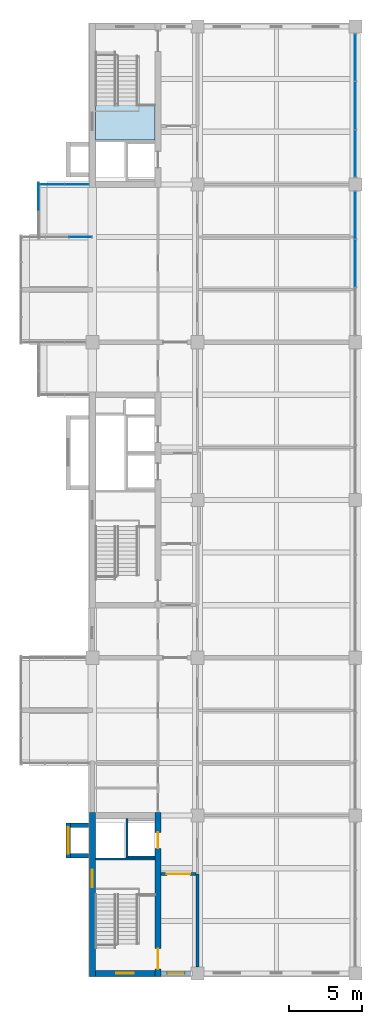
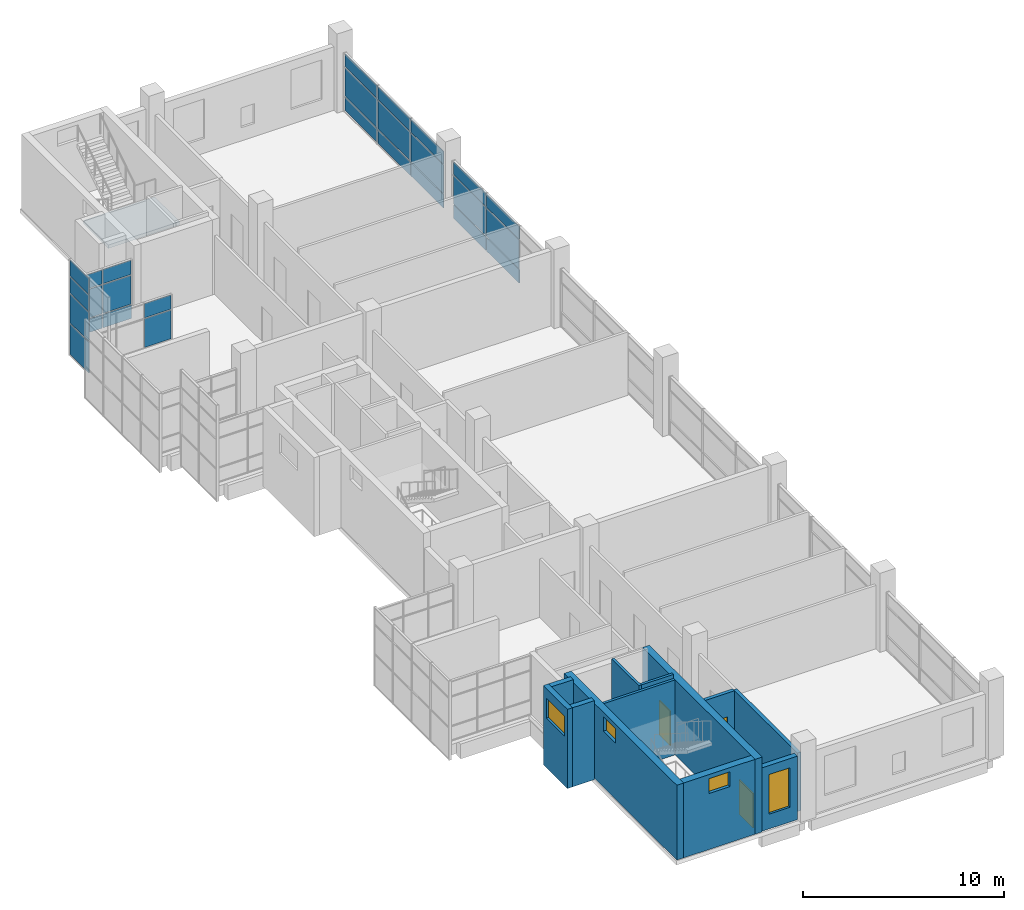
# One storey, part 11 of 15: 27 plates, 12 walls, 4 windows, 3 doors, 1 slab, 7 openings, 6 elements without a shape of their own.
"""IFC4 building model written with IfcOpenShell, lengths in metres."""

from ifc_helpers import new_model, si_unit, direction, frame, frame_2d, origin, origin_2d, place, context, subcontext, project, spatial, polyline, rectangle, outline, extrude, material, layer, layer_set, type_object, element, fill, aggregate, save


model = new_model("IFC4")

# Units and contexts
model_context = context("Model", 3, precision=1e-05, world=origin(), true_north=direction((0.0, 1.0)))
body_context = subcontext(model_context, "Body", "Model", "MODEL_VIEW")
ifc_project = project(units=[si_unit("LENGTHUNIT", "METRE"), si_unit("AREAUNIT", "SQUARE_METRE"), si_unit("VOLUMEUNIT", "CUBIC_METRE"), si_unit("PLANEANGLEUNIT", "RADIAN"), si_unit("MASSUNIT", "GRAM", prefix="KILO")], contexts=[model_context])

# Site, building, storey
site_placement = place(None, origin())
site = spatial("IfcSite", under=ifc_project, at=site_placement, CompositionType="ELEMENT")
building_placement = place(site_placement, origin())
building = spatial("IfcBuilding", under=site, at=building_placement, Name="Basin Gate Institute", CompositionType="ELEMENT")
storey_placement = place(building_placement, frame((0.0, 0.0, 55.800048828125)))
storey = spatial("IfcBuildingStorey", under=building, at=storey_placement, Name="L11", CompositionType="ELEMENT", Elevation=55.800048828125)

# Curtain wall, plates
ifc_material_1 = material(Name="Aluminium-framed glazing", Category="aluminium")
ifc_layer_1 = layer(ifc_material_1, 0.199951171875)
ifc_layer_set_1 = layer_set([ifc_layer_1], Name="Atrium curtain wall CW2")
curtain_wall_type_1 = type_object("IfcCurtainWallType", Name="Atrium curtain wall CW2", PredefinedType="NOTDEFINED", material=ifc_layer_set_1)
curtain_wall_1_placement = place(storey_placement, origin())
curtain_wall_1 = element("IfcCurtainWall", 1, at=curtain_wall_1_placement, inside=storey, type_object=curtain_wall_type_1, material=ifc_layer_set_1, Name="Atrium curtain wall W wing atrium bay 5 L11", PredefinedType="NOTDEFINED")
ifc_material_2 = material(Name="Aluminium insulated spandrel panel", Category="aluminium")
ifc_layer_2 = layer(ifc_material_2, 0.050048828125)
ifc_layer_set_2 = layer_set([ifc_layer_2], Name="Spandrel panel PN2")
plate_type_1 = type_object("IfcPlateType", Name="Spandrel panel PN2", PredefinedType="CURTAIN_PANEL", material=ifc_layer_set_2)
plate_1_placement = place(storey_placement, frame((79.199951171875, 83.699951171875, 0.059814453125), z_axis=(0.0, 0.0, 1.0), x_axis=(0.0, 1.0, 0.0)))
plate_1 = element("IfcPlate", 2, at=plate_1_placement, type_object=plate_type_1, material=ifc_layer_set_2, Name="CW2 spandrel panel 2.1", PredefinedType="CURTAIN_PANEL", context=body_context, shape_type="SweptSolid", body=[
    extrude(rectangle(XDim=3.239990234375, YDim=0.050048828125, at=origin_2d()), origin(), (0.0, 0.0, 1.0), 0.81005859375),
])
plate_2_placement = place(storey_placement, frame((79.199951171875, 83.699951171875, 2.72998046875), z_axis=(0.0, 0.0, 1.0), x_axis=(0.0, 1.0, 0.0)))
plate_2 = element("IfcPlate", 3, at=plate_2_placement, type_object=plate_type_1, material=ifc_layer_set_2, Name="CW2 spandrel panel 2.3", PredefinedType="CURTAIN_PANEL", context=body_context, shape_type="SweptSolid", body=[
    extrude(rectangle(XDim=3.239990234375, YDim=0.050048828125, at=origin_2d()), origin(), (0.0, 0.0, 1.0), 0.760009765625),
])
plate_3_placement = place(storey_placement, frame((79.199951171875, 86.985107421875, 0.059814453125), z_axis=(0.0, 0.0, 1.0), x_axis=(0.0, 1.0, 0.0)))
plate_3 = element("IfcPlate", 4, at=plate_3_placement, type_object=plate_type_1, material=ifc_layer_set_2, Name="CW2 spandrel panel 3.1", PredefinedType="CURTAIN_PANEL", context=body_context, shape_type="SweptSolid", body=[
    extrude(rectangle(XDim=3.2099609375, YDim=0.050048828125, at=origin_2d()), origin(), (0.0, 0.0, 1.0), 0.81005859375),
])
plate_4_placement = place(storey_placement, frame((79.199951171875, 86.985107421875, 2.72998046875), z_axis=(0.0, 0.0, 1.0), x_axis=(0.0, 1.0, 0.0)))
plate_4 = element("IfcPlate", 5, at=plate_4_placement, type_object=plate_type_1, material=ifc_layer_set_2, Name="CW2 spandrel panel 3.3", PredefinedType="CURTAIN_PANEL", context=body_context, shape_type="SweptSolid", body=[
    extrude(rectangle(XDim=3.2099609375, YDim=0.050048828125, at=origin_2d()), origin(), (0.0, 0.0, 1.0), 0.760009765625),
])

curtain_wall_2_placement = place(storey_placement, origin())
curtain_wall_2 = element("IfcCurtainWall", 6, at=curtain_wall_2_placement, inside=storey, type_object=curtain_wall_type_1, material=ifc_layer_set_1, Name="Atrium curtain wall W wing atrium bay 6 L11", PredefinedType="NOTDEFINED")
plate_5_placement = place(storey_placement, frame((79.199951171875, 91.215087890625, 0.059814453125), z_axis=(0.0, 0.0, 1.0), x_axis=(0.0, 1.0, 0.0)))
plate_5 = element("IfcPlate", 7, at=plate_5_placement, type_object=plate_type_1, material=ifc_layer_set_2, Name="CW2 spandrel panel 1.1", PredefinedType="CURTAIN_PANEL", context=body_context, shape_type="SweptSolid", body=[
    extrude(rectangle(XDim=3.2099609375, YDim=0.050048828125, at=origin_2d()), origin(), (0.0, 0.0, 1.0), 0.81005859375),
])
plate_6_placement = place(storey_placement, frame((79.199951171875, 91.215087890625, 2.72998046875), z_axis=(0.0, 0.0, 1.0), x_axis=(0.0, 1.0, 0.0)))
plate_6 = element("IfcPlate", 8, at=plate_6_placement, type_object=plate_type_1, material=ifc_layer_set_2, Name="CW2 spandrel panel 1.3", PredefinedType="CURTAIN_PANEL", context=body_context, shape_type="SweptSolid", body=[
    extrude(rectangle(XDim=3.2099609375, YDim=0.050048828125, at=origin_2d()), origin(), (0.0, 0.0, 1.0), 0.760009765625),
])
plate_7_placement = place(storey_placement, frame((79.199951171875, 94.5, 0.059814453125), z_axis=(0.0, 0.0, 1.0), x_axis=(0.0, 1.0, 0.0)))
plate_7 = element("IfcPlate", 9, at=plate_7_placement, type_object=plate_type_1, material=ifc_layer_set_2, Name="CW2 spandrel panel 2.1", PredefinedType="CURTAIN_PANEL", context=body_context, shape_type="SweptSolid", body=[
    extrude(rectangle(XDim=3.239990234375, YDim=0.050048828125, at=origin_2d()), origin(), (0.0, 0.0, 1.0), 0.81005859375),
])
plate_8_placement = place(storey_placement, frame((79.199951171875, 94.5, 2.72998046875), z_axis=(0.0, 0.0, 1.0), x_axis=(0.0, 1.0, 0.0)))
plate_8 = element("IfcPlate", 10, at=plate_8_placement, type_object=plate_type_1, material=ifc_layer_set_2, Name="CW2 spandrel panel 2.3", PredefinedType="CURTAIN_PANEL", context=body_context, shape_type="SweptSolid", body=[
    extrude(rectangle(XDim=3.239990234375, YDim=0.050048828125, at=origin_2d()), origin(), (0.0, 0.0, 1.0), 0.760009765625),
])
plate_9_placement = place(storey_placement, frame((79.199951171875, 97.784912109375, 0.059814453125), z_axis=(0.0, 0.0, 1.0), x_axis=(0.0, 1.0, 0.0)))
plate_9 = element("IfcPlate", 11, at=plate_9_placement, type_object=plate_type_1, material=ifc_layer_set_2, Name="CW2 spandrel panel 3.1", PredefinedType="CURTAIN_PANEL", context=body_context, shape_type="SweptSolid", body=[
    extrude(rectangle(XDim=3.2099609375, YDim=0.050048828125, at=origin_2d()), origin(), (0.0, 0.0, 1.0), 0.81005859375),
])
plate_10_placement = place(storey_placement, frame((79.199951171875, 97.784912109375, 2.72998046875), z_axis=(0.0, 0.0, 1.0), x_axis=(0.0, 1.0, 0.0)))
plate_10 = element("IfcPlate", 12, at=plate_10_placement, type_object=plate_type_1, material=ifc_layer_set_2, Name="CW2 spandrel panel 3.3", PredefinedType="CURTAIN_PANEL", context=body_context, shape_type="SweptSolid", body=[
    extrude(rectangle(XDim=3.2099609375, YDim=0.050048828125, at=origin_2d()), origin(), (0.0, 0.0, 1.0), 0.760009765625),
])

ifc_material_3 = material(Name="Aluminium-framed glazing", Category="aluminium")
ifc_layer_3 = layer(ifc_material_3, 0.14990234375)
ifc_layer_set_3 = layer_set([ifc_layer_3], Name="Capsule front curtain wall CW1")
curtain_wall_type_2 = type_object("IfcCurtainWallType", Name="Capsule front curtain wall CW1", PredefinedType="NOTDEFINED", material=ifc_layer_set_3)
curtain_wall_3_placement = place(storey_placement, origin())
curtain_wall_3 = element("IfcCurtainWall", 13, at=curtain_wall_3_placement, inside=storey, type_object=curtain_wall_type_2, material=ifc_layer_set_3, Name="Capsule front curtain wall W wing capsule end L11 line 16", PredefinedType="NOTDEFINED")
plate_11_placement = place(storey_placement, frame((58.46240234375, 89.10009765625, 0.059814453125), z_axis=(0.0, 0.0, 1.0), x_axis=(1.0, 0.0, 0.0)))
plate_11 = element("IfcPlate", 14, at=plate_11_placement, type_object=plate_type_1, material=ifc_layer_set_2, Name="CW1 spandrel panel 1.1", PredefinedType="CURTAIN_PANEL", context=body_context, shape_type="SweptSolid", body=[
    extrude(rectangle(XDim=1.625, YDim=0.050048828125, at=origin_2d()), origin(), (0.0, 0.0, 1.0), 0.81005859375),
])
plate_12_placement = place(storey_placement, frame((60.137451171875, 89.10009765625, 0.059814453125), z_axis=(0.0, 0.0, 1.0), x_axis=(1.0, 0.0, 0.0)))
plate_12 = element("IfcPlate", 15, at=plate_12_placement, type_object=plate_type_1, material=ifc_layer_set_2, Name="CW1 spandrel panel 2.1", PredefinedType="CURTAIN_PANEL", context=body_context, shape_type="SweptSolid", body=[
    extrude(rectangle(XDim=1.625, YDim=0.050048828125, at=origin_2d()), origin(), (0.0, 0.0, 1.0), 0.81005859375),
])

curtain_wall_4_placement = place(storey_placement, origin())
curtain_wall_4 = element("IfcCurtainWall", 16, at=curtain_wall_4_placement, inside=storey, type_object=curtain_wall_type_2, material=ifc_layer_set_3, Name="Capsule front curtain wall W wing capsule 2 L11 front 4", PredefinedType="NOTDEFINED")
plate_13_placement = place(storey_placement, frame((57.52490234375, 88.262451171875, -0.990234375), z_axis=(0.0, 0.0, 1.0), x_axis=(0.0, 1.0, 0.0)))
plate_13 = element("IfcPlate", 17, at=plate_13_placement, type_object=plate_type_1, material=ifc_layer_set_2, Name="CW1 spandrel panel 2.1", PredefinedType="CURTAIN_PANEL", context=body_context, shape_type="SweptSolid", body=[
    extrude(rectangle(XDim=1.875, YDim=0.050048828125, at=origin_2d()), origin(), (0.0, 0.0, 1.0), 1.860107421875),
])
plate_14_placement = place(storey_placement, frame((57.52490234375, 88.262451171875, 3.780029296875), z_axis=(0.0, 0.0, 1.0), x_axis=(0.0, 1.0, 0.0)))
plate_14 = element("IfcPlate", 18, at=plate_14_placement, type_object=plate_type_1, material=ifc_layer_set_2, Name="CW1 spandrel panel 2.4", PredefinedType="CURTAIN_PANEL", context=body_context, shape_type="SweptSolid", body=[
    extrude(rectangle(XDim=1.875, YDim=0.050048828125, at=origin_2d()), origin(), (0.0, 0.0, 1.0), 0.9599609375),
])

# Stair, slab
ifc_material_4 = material(Name="Concrete 40 MPa", Category="concrete")
stair_type = type_object("IfcStairType", Name="Stair ST", PredefinedType="HALF_TURN_STAIR", material=ifc_material_4)
stair_placement = place(storey_placement, origin())
stair = element("IfcStair", 19, at=stair_placement, inside=storey, type_object=stair_type, material=ifc_material_4, Name="Special safe stair ST-WN L11", PredefinedType="HALF_TURN_STAIR")
ifc_material_5 = material(Name="Concrete 40 MPa", Category="concrete")
ifc_layer_4 = layer(ifc_material_5, 0.199951171875)
ifc_layer_set_4 = layer_set([ifc_layer_4], Name="Concrete 40 MPa")
slab_type = type_object("IfcSlabType", Name="Stair landing LN REI 120", PredefinedType="LANDING", material=ifc_layer_set_4)
slab_placement = place(storey_placement, frame((0.0, 0.0, 2.288818359375)))
slab = element("IfcSlab", 20, at=slab_placement, type_object=slab_type, material=ifc_layer_set_4, Name="Stair landing ST-WN-L1 L11", PredefinedType="LANDING", context=body_context, shape_type="SweptSolid", body=[
    extrude(outline(polyline([(61.39990234375, 92.14990234375), (65.5, 92.14990234375), (65.5, 94.6298828125), (61.39990234375, 94.6298828125), (61.39990234375, 92.14990234375)])), origin(), (0.0, 0.0, 1.0), 0.199951171875),
])
aggregate(stair, [slab])

# Plate
ifc_material_6 = material(Name="Double glazed unit")
ifc_layer_5 = layer(ifc_material_6, 0.028076171875)
ifc_layer_set_5 = layer_set([ifc_layer_5], Name="Vision panel PN1")
plate_type_2 = type_object("IfcPlateType", Name="Vision panel PN1", PredefinedType="CURTAIN_PANEL", material=ifc_layer_set_5)
plate_15_placement = place(storey_placement, frame((79.199951171875, 83.699951171875, 0.93017578125), z_axis=(0.0, 0.0, 1.0), x_axis=(0.0, 1.0, 0.0)))
plate_15 = element("IfcPlate", 21, at=plate_15_placement, type_object=plate_type_2, material=ifc_layer_set_5, Name="CW2 vision panel 2.2", PredefinedType="CURTAIN_PANEL", context=body_context, shape_type="SweptSolid", body=[
    extrude(rectangle(XDim=3.239990234375, YDim=0.028076171875, at=origin_2d()), origin(), (0.0, 0.0, 1.0), 1.739990234375),
])

plate_16_placement = place(storey_placement, frame((79.199951171875, 86.985107421875, 0.93017578125), z_axis=(0.0, 0.0, 1.0), x_axis=(0.0, 1.0, 0.0)))
plate_16 = element("IfcPlate", 22, at=plate_16_placement, type_object=plate_type_2, material=ifc_layer_set_5, Name="CW2 vision panel 3.2", PredefinedType="CURTAIN_PANEL", context=body_context, shape_type="SweptSolid", body=[
    extrude(rectangle(XDim=3.2099609375, YDim=0.028076171875, at=origin_2d()), origin(), (0.0, 0.0, 1.0), 1.739990234375),
])

aggregate(curtain_wall_1, [plate_1, plate_15, plate_2, plate_3, plate_16, plate_4])

plate_17_placement = place(storey_placement, frame((79.199951171875, 91.215087890625, 0.93017578125), z_axis=(0.0, 0.0, 1.0), x_axis=(0.0, 1.0, 0.0)))
plate_17 = element("IfcPlate", 23, at=plate_17_placement, type_object=plate_type_2, material=ifc_layer_set_5, Name="CW2 vision panel 1.2", PredefinedType="CURTAIN_PANEL", context=body_context, shape_type="SweptSolid", body=[
    extrude(rectangle(XDim=3.2099609375, YDim=0.028076171875, at=origin_2d()), origin(), (0.0, 0.0, 1.0), 1.739990234375),
])

plate_18_placement = place(storey_placement, frame((79.199951171875, 94.5, 0.93017578125), z_axis=(0.0, 0.0, 1.0), x_axis=(0.0, 1.0, 0.0)))
plate_18 = element("IfcPlate", 24, at=plate_18_placement, type_object=plate_type_2, material=ifc_layer_set_5, Name="CW2 vision panel 2.2", PredefinedType="CURTAIN_PANEL", context=body_context, shape_type="SweptSolid", body=[
    extrude(rectangle(XDim=3.239990234375, YDim=0.028076171875, at=origin_2d()), origin(), (0.0, 0.0, 1.0), 1.739990234375),
])

plate_19_placement = place(storey_placement, frame((79.199951171875, 97.784912109375, 0.93017578125), z_axis=(0.0, 0.0, 1.0), x_axis=(0.0, 1.0, 0.0)))
plate_19 = element("IfcPlate", 25, at=plate_19_placement, type_object=plate_type_2, material=ifc_layer_set_5, Name="CW2 vision panel 3.2", PredefinedType="CURTAIN_PANEL", context=body_context, shape_type="SweptSolid", body=[
    extrude(rectangle(XDim=3.2099609375, YDim=0.028076171875, at=origin_2d()), origin(), (0.0, 0.0, 1.0), 1.739990234375),
])

aggregate(curtain_wall_2, [plate_5, plate_17, plate_6, plate_7, plate_18, plate_8, plate_9, plate_19, plate_10])

# Curtain wall, plates
curtain_wall_5_placement = place(storey_placement, origin())
curtain_wall_5 = element("IfcCurtainWall", 26, at=curtain_wall_5_placement, inside=storey, type_object=curtain_wall_type_2, material=ifc_layer_set_3, Name="Capsule front curtain wall W wing capsule end L11 line 15", PredefinedType="NOTDEFINED")
plate_20_placement = place(storey_placement, frame((60.387451171875, 85.5, 0.93017578125), z_axis=(0.0, 0.0, 1.0), x_axis=(1.0, 0.0, 0.0)))
plate_20 = element("IfcPlate", 27, at=plate_20_placement, type_object=plate_type_2, material=ifc_layer_set_5, Name="CW1 vision panel 3.2", PredefinedType="CURTAIN_PANEL", context=body_context, shape_type="SweptSolid", body=[
    extrude(rectangle(XDim=1.52490234375, YDim=0.028076171875, at=origin_2d()), origin(), (0.0, 0.0, 1.0), 1.739990234375),
])
plate_21_placement = place(storey_placement, frame((60.387451171875, 85.5, 2.72998046875), z_axis=(0.0, 0.0, 1.0), x_axis=(1.0, 0.0, 0.0)))
plate_21 = element("IfcPlate", 28, at=plate_21_placement, type_object=plate_type_2, material=ifc_layer_set_5, Name="CW1 vision panel 3.3", PredefinedType="CURTAIN_PANEL", context=body_context, shape_type="SweptSolid", body=[
    extrude(rectangle(XDim=1.52490234375, YDim=0.028076171875, at=origin_2d()), origin(), (0.0, 0.0, 1.0), 0.860107421875),
])
aggregate(curtain_wall_5, [plate_20, plate_21])

# Plate
plate_22_placement = place(storey_placement, frame((58.46240234375, 89.10009765625, 0.93017578125), z_axis=(0.0, 0.0, 1.0), x_axis=(1.0, 0.0, 0.0)))
plate_22 = element("IfcPlate", 29, at=plate_22_placement, type_object=plate_type_2, material=ifc_layer_set_5, Name="CW1 vision panel 1.2", PredefinedType="CURTAIN_PANEL", context=body_context, shape_type="SweptSolid", body=[
    extrude(rectangle(XDim=1.625, YDim=0.028076171875, at=origin_2d()), origin(), (0.0, 0.0, 1.0), 1.739990234375),
])

plate_23_placement = place(storey_placement, frame((58.46240234375, 89.10009765625, 2.72998046875), z_axis=(0.0, 0.0, 1.0), x_axis=(1.0, 0.0, 0.0)))
plate_23 = element("IfcPlate", 30, at=plate_23_placement, type_object=plate_type_2, material=ifc_layer_set_5, Name="CW1 vision panel 1.3", PredefinedType="CURTAIN_PANEL", context=body_context, shape_type="SweptSolid", body=[
    extrude(rectangle(XDim=1.625, YDim=0.028076171875, at=origin_2d()), origin(), (0.0, 0.0, 1.0), 0.860107421875),
])

plate_24_placement = place(storey_placement, frame((60.137451171875, 89.10009765625, 0.93017578125), z_axis=(0.0, 0.0, 1.0), x_axis=(1.0, 0.0, 0.0)))
plate_24 = element("IfcPlate", 31, at=plate_24_placement, type_object=plate_type_2, material=ifc_layer_set_5, Name="CW1 vision panel 2.2", PredefinedType="CURTAIN_PANEL", context=body_context, shape_type="SweptSolid", body=[
    extrude(rectangle(XDim=1.625, YDim=0.028076171875, at=origin_2d()), origin(), (0.0, 0.0, 1.0), 1.739990234375),
])

plate_25_placement = place(storey_placement, frame((60.137451171875, 89.10009765625, 2.72998046875), z_axis=(0.0, 0.0, 1.0), x_axis=(1.0, 0.0, 0.0)))
plate_25 = element("IfcPlate", 32, at=plate_25_placement, type_object=plate_type_2, material=ifc_layer_set_5, Name="CW1 vision panel 2.3", PredefinedType="CURTAIN_PANEL", context=body_context, shape_type="SweptSolid", body=[
    extrude(rectangle(XDim=1.625, YDim=0.028076171875, at=origin_2d()), origin(), (0.0, 0.0, 1.0), 0.860107421875),
])

aggregate(curtain_wall_3, [plate_11, plate_22, plate_23, plate_12, plate_24, plate_25])

plate_26_placement = place(storey_placement, frame((57.52490234375, 88.262451171875, 0.93017578125), z_axis=(0.0, 0.0, 1.0), x_axis=(0.0, 1.0, 0.0)))
plate_26 = element("IfcPlate", 33, at=plate_26_placement, type_object=plate_type_2, material=ifc_layer_set_5, Name="CW1 vision panel 2.2", PredefinedType="CURTAIN_PANEL", context=body_context, shape_type="SweptSolid", body=[
    extrude(rectangle(XDim=1.875, YDim=0.028076171875, at=origin_2d()), origin(), (0.0, 0.0, 1.0), 1.739990234375),
])

plate_27_placement = place(storey_placement, frame((57.52490234375, 88.262451171875, 2.72998046875), z_axis=(0.0, 0.0, 1.0), x_axis=(0.0, 1.0, 0.0)))
plate_27 = element("IfcPlate", 34, at=plate_27_placement, type_object=plate_type_2, material=ifc_layer_set_5, Name="CW1 vision panel 2.3", PredefinedType="CURTAIN_PANEL", context=body_context, shape_type="SweptSolid", body=[
    extrude(rectangle(XDim=1.875, YDim=0.028076171875, at=origin_2d()), origin(), (0.0, 0.0, 1.0), 0.989990234375),
])

aggregate(curtain_wall_4, [plate_13, plate_26, plate_27, plate_14])

# Wall, opening, door
ifc_material_7 = material(Name="Fire-rated masonry", Category="masonry")
ifc_layer_6 = layer(ifc_material_7, 0.199951171875)
ifc_layer_set_6 = layer_set([ifc_layer_6], Name="Enclosure wall PW2 200 EI 60")
wall_type_1 = type_object("IfcWallType", Name="Enclosure wall PW2 200 EI 60", PredefinedType="PARTITIONING", material=ifc_layer_set_6)
wall_1_placement = place(storey_placement, frame((65.89990234375, 41.89990234375, 0.0), z_axis=(0.0, 0.0, 1.0), x_axis=(1.0, 0.0, 0.0)))
wall_1 = element("IfcWall", 35, at=wall_1_placement, inside=storey, type_object=wall_type_1, material=ifc_layer_set_6, Name="Smoke lobby enclosure wall PW2 L11", PredefinedType="PARTITIONING", context=body_context, shape_type="SweptSolid", body=[
    extrude(rectangle(XDim=2.400146484375, YDim=0.199951171875, at=frame_2d((1.2001953125, 0.0))), origin(), (0.0, 0.0, 1.0), 3.550048828125),
])
opening_1_placement = place(wall_1_placement, frame((0.39990234375, 0.0, 0.0)))
opening_1 = element("IfcOpeningElement", 36, at=opening_1_placement, cuts=wall_1, Name="Opening DR478", PredefinedType="OPENING", context=body_context, shape_type="SweptSolid", body=[
    extrude(rectangle(XDim=1.60009765625, YDim=2.10009765625, at=frame_2d((0.800048828125, 1.050048828125))), frame((0.0, 0.10986328125, 0.0), z_axis=(0.0, -1.0, 0.0), x_axis=(1.0, 0.0, 0.0)), (0.0, 0.0, 1.0), 0.219970703125),
])
ifc_material_8 = material(Name="Steel fire door", Category="steel")
door_type_1 = type_object("IfcDoorType", Name="FD60 Smoke lobby door pair D8", OperationType="DOUBLE_DOOR_SINGLE_SWING", PredefinedType="DOOR", material=ifc_material_8)
door_1_placement = place(opening_1_placement, frame((1.60009765625, 0.0, 0.0), z_axis=(0.0, 0.0, 1.0), x_axis=(-1.0, 0.0, 0.0)))
door_1 = element("IfcDoor", 37, at=door_1_placement, inside=storey, type_object=door_type_1, material=ifc_material_8, Name="Smoke lobby door SS1 L11", OperationType="DOUBLE_DOOR_SINGLE_SWING", OverallHeight=2.10009765625, OverallWidth=1.60009765625, PredefinedType="DOOR", context=body_context, shape_type="SweptSolid", body=[
    extrude(rectangle(XDim=1.60009765625, YDim=2.10009765625, at=frame_2d((0.800048828125, 1.050048828125))), frame((0.0, 0.02490234375, 0.0), z_axis=(0.0, -1.0, 0.0), x_axis=(1.0, 0.0, 0.0)), (0.0, 0.0, 1.0), 0.050048828125),
])
fill(opening_1, door_1)

# Wall
wall_2_placement = place(storey_placement, frame((68.39990234375, 35.550048828125, 0.0), z_axis=(0.0, 0.0, 1.0), x_axis=(0.0, 1.0, 0.0)))
element("IfcWall", 38, at=wall_2_placement, inside=storey, type_object=wall_type_1, material=ifc_layer_set_6, Name="Smoke lobby enclosure wall PW2 L11", PredefinedType="PARTITIONING", context=body_context, shape_type="SweptSolid", body=[
    extrude(rectangle(XDim=6.349853515625, YDim=0.199951171875, at=frame_2d((3.1748046875, 0.0))), origin(), (0.0, 0.0, 1.0), 3.550048828125),
])

# Wall, opening, window
ifc_material_9 = material(Name="Aluminium-faced insulated panel wall", Category="aluminium")
ifc_layer_7 = layer(ifc_material_9, 0.300048828125)
ifc_layer_set_7 = layer_set([ifc_layer_7], Name="External wall EW1 EI 120")
wall_type_2 = type_object("IfcWallType", Name="External wall EW1 EI 120", PredefinedType="STANDARD", material=ifc_layer_set_7)
wall_3_placement = place(storey_placement, frame((65.89990234375, 35.10009765625, 0.0), z_axis=(0.0, 0.0, 1.0), x_axis=(1.0, 0.0, 0.0)))
wall_3 = element("IfcWall", 39, at=wall_3_placement, inside=storey, type_object=wall_type_2, material=ifc_layer_set_7, Name="External end wall W wing south L11 1", PredefinedType="STANDARD", context=body_context, shape_type="SweptSolid", body=[
    extrude(rectangle(XDim=2.050048828125, YDim=0.300048828125, at=frame_2d((1.02490234375, 0.0))), origin(), (0.0, 0.0, 1.0), 3.849853515625),
])
opening_2_placement = place(wall_3_placement, frame((0.425048828125, 0.0, 0.89990234375)))
opening_2 = element("IfcOpeningElement", 40, at=opening_2_placement, cuts=wall_3, Name="Opening WN4", PredefinedType="OPENING", context=body_context, shape_type="SweptSolid", body=[
    extrude(rectangle(XDim=1.199951171875, YDim=2.39990234375, at=frame_2d((0.60009765625, 1.199951171875))), frame((0.0, 0.16015625, 0.0), z_axis=(0.0, -1.0, 0.0), x_axis=(1.0, 0.0, 0.0)), (0.0, 0.0, 1.0), 0.320068359375),
])
ifc_material_10 = material(Name="Aluminium-framed double glazing", Category="aluminium")
window_type_1 = type_object("IfcWindowType", Name="Corridor end window WN4", PartitioningType="SINGLE_PANEL", PredefinedType="WINDOW", material=ifc_material_10)
window_1_placement = place(opening_2_placement, origin())
window_1 = element("IfcWindow", 41, at=window_1_placement, inside=storey, type_object=window_type_1, material=ifc_material_10, Name="Corridor end window W wing S L11", OverallHeight=2.39990234375, OverallWidth=1.199951171875, PartitioningType="SINGLE_PANEL", PredefinedType="WINDOW", context=body_context, shape_type="SweptSolid", body=[
    extrude(rectangle(XDim=1.199951171875, YDim=2.39990234375, at=frame_2d((0.60009765625, 1.199951171875))), frame((0.0, 0.030029296875, 0.0), z_axis=(0.0, -1.0, 0.0), x_axis=(1.0, 0.0, 0.0)), (0.0, 0.0, 1.0), 0.06005859375),
])
fill(opening_2, window_1)

# Walls
ifc_material_11 = material(Name="Concrete 40 MPa", Category="concrete")
ifc_layer_8 = layer(ifc_material_11, 0.14990234375)
ifc_layer_set_8 = layer_set([ifc_layer_8], Name="Concrete 40 MPa")
wall_type_3 = type_object("IfcWallType", Name="Wall LS1 lift shaft enclosure R120", PredefinedType="SOLIDWALL", material=ifc_layer_set_8)
wall_4_placement = place(storey_placement, frame((63.574951171875, 43.0, 0.0), z_axis=(0.0, 0.0, 1.0), x_axis=(0.0, 1.0, 0.0)))
element("IfcWall", 42, at=wall_4_placement, inside=storey, type_object=wall_type_3, material=ifc_layer_set_8, Name="Lift shaft enclosure LP1 L11 UL", PredefinedType="SOLIDWALL", context=body_context, shape_type="SweptSolid", body=[
    extrude(rectangle(XDim=2.699951171875, YDim=0.14990234375, at=frame_2d((1.35009765625, 0.0))), origin(), (0.0, 0.0, 1.0), 4.800048828125),
])
wall_5_placement = place(storey_placement, frame((63.64990234375, 43.074951171875, 0.0), z_axis=(0.0, 0.0, 1.0), x_axis=(1.0, 0.0, 0.0)))
element("IfcWall", 43, at=wall_5_placement, inside=storey, type_object=wall_type_3, material=ifc_layer_set_8, Name="Lift shaft enclosure LP1 L11 RL", PredefinedType="SOLIDWALL", context=body_context, shape_type="SweptSolid", body=[
    extrude(rectangle(XDim=1.85009765625, YDim=0.14990234375, at=frame_2d((0.925048828125, 0.0))), origin(), (0.0, 0.0, 1.0), 4.800048828125),
])
ifc_material_12 = material(Name="Concrete 40 MPa", Category="concrete")
ifc_layer_9 = layer(ifc_material_12, 0.14990234375)
ifc_layer_set_9 = layer_set([ifc_layer_9], Name="Concrete 40 MPa")
wall_type_4 = type_object("IfcWallType", Name="Wall SE1 stair enclosure R120", PredefinedType="SOLIDWALL", material=ifc_layer_set_9)
wall_6_placement = place(storey_placement, frame((61.39990234375, 42.925048828125, 0.0), z_axis=(0.0, 0.0, 1.0), x_axis=(1.0, 0.0, 0.0)))
element("IfcWall", 44, at=wall_6_placement, inside=storey, type_object=wall_type_4, material=ifc_layer_set_9, Name="Stair enclosure wall ST-WS L11", PredefinedType="SOLIDWALL", context=body_context, shape_type="SweptSolid", body=[
    extrude(rectangle(XDim=4.10009765625, YDim=0.14990234375, at=frame_2d((2.050048828125, 0.0))), origin(), (0.0, 0.0, 1.0), 4.550048828125),
])

# Wall, opening, window
ifc_material_13 = material(Name="Concrete 50 MPa", Category="concrete")
ifc_layer_10 = layer(ifc_material_13, 0.300048828125)
ifc_layer_set_10 = layer_set([ifc_layer_10], Name="Concrete 50 MPa")
wall_type_5 = type_object("IfcWallType", Name="Wall SK1 R120", PredefinedType="SHEAR", material=ifc_layer_set_10)
wall_7_placement = place(storey_placement, frame((59.550048828125, 43.0, 0.0), z_axis=(0.0, 0.0, 1.0), x_axis=(0.0, 1.0, 0.0)))
wall_7 = element("IfcWall", 45, at=wall_7_placement, inside=storey, type_object=wall_type_5, material=ifc_layer_set_10, Name="Spine riser stack wall SK1 WS F L11", PredefinedType="SHEAR", context=body_context, shape_type="SweptSolid", body=[
    extrude(rectangle(XDim=2.39990234375, YDim=0.300048828125, at=frame_2d((1.199951171875, 0.0))), origin(), (0.0, 0.0, 1.0), 4.800048828125),
])
opening_3_placement = place(wall_7_placement, frame((0.300048828125, 0.0, 3.0)))
opening_3 = element("IfcOpeningElement", 46, at=opening_3_placement, cuts=wall_7, Name="Opening WL2", PredefinedType="OPENING", context=body_context, shape_type="SweptSolid", body=[
    extrude(rectangle(XDim=1.800048828125, YDim=1.199951171875, at=frame_2d((0.89990234375, 0.60009765625))), frame((0.0, 0.16015625, 0.0), z_axis=(0.0, -1.0, 0.0), x_axis=(1.0, 0.0, 0.0)), (0.0, 0.0, 1.0), 0.320068359375),
])
ifc_material_14 = material(Name="Aluminium louvre blades with fire damper", Category="aluminium")
window_type_2 = type_object("IfcWindowType", Name="Riser louvre EI 120 WL2", PartitioningType="SINGLE_PANEL", PredefinedType="WINDOW", material=ifc_material_14)
window_2_placement = place(opening_3_placement, origin())
window_2 = element("IfcWindow", 47, at=window_2_placement, inside=storey, type_object=window_type_2, material=ifc_material_14, Name="Riser louvre EI 120 WS riser 1 L11", OverallHeight=1.199951171875, OverallWidth=1.800048828125, PartitioningType="SINGLE_PANEL", PredefinedType="WINDOW", context=body_context, shape_type="SweptSolid", body=[
    extrude(rectangle(XDim=1.800048828125, YDim=1.199951171875, at=frame_2d((0.89990234375, 0.60009765625))), frame((0.0, 0.030029296875, 0.0), z_axis=(0.0, -1.0, 0.0), x_axis=(1.0, 0.0, 0.0)), (0.0, 0.0, 1.0), 0.06005859375),
])
fill(opening_3, window_2)

# Walls
for number, where, z_axis, x_axis, name in (
    (48, (60.949951171875, 43.14990234375, 0.0), (0.0, 0.0, 1.0), (-1.0, 0.0, 0.0), "Spine riser stack wall SK1 WS A L11"),
    (49, (60.949951171875, 45.25, 0.0), (0.0, 0.0, 1.0), (-1.0, 0.0, 0.0), "Spine riser stack wall SK1 WS B L11"),
):
    element("IfcWall", number, at=place(storey_placement, frame(where, z_axis=z_axis, x_axis=x_axis)), inside=storey, type_object=wall_type_5, material=ifc_layer_set_10, Name=name, PredefinedType="SHEAR", context=body_context, shape_type="SweptSolid", body=[
        extrude(rectangle(XDim=1.25, YDim=0.300048828125, at=frame_2d((0.625, 0.0))), origin(), (0.0, 0.0, 1.0), 4.800048828125),
    ])

# Wall, opening, window
ifc_material_15 = material(Name="Concrete 50 MPa", Category="concrete")
ifc_layer_11 = layer(ifc_material_15, 0.39990234375)
ifc_layer_set_11 = layer_set([ifc_layer_11], Name="Concrete 50 MPa")
wall_type_6 = type_object("IfcWallType", Name="Wall SW2 R120", PredefinedType="SHEAR", material=ifc_layer_set_11)
wall_8_placement = place(storey_placement, frame((61.199951171875, 34.89990234375, 0.0), z_axis=(0.0, 0.0, 1.0), x_axis=(0.0, 1.0, 0.0)))
wall_8 = element("IfcWall", 50, at=wall_8_placement, inside=storey, type_object=wall_type_6, material=ifc_layer_set_11, Name="WALL/L11/WS/L", PredefinedType="SHEAR", context=body_context, shape_type="SweptSolid", body=[
    extrude(rectangle(XDim=11.2001953125, YDim=0.39990234375, at=frame_2d((5.60009765625, 0.0))), origin(), (0.0, 0.0, 1.0), 4.550048828125),
])
opening_4_placement = place(wall_8_placement, frame((6.110107421875, 0.0, 3.39990234375)))
opening_4 = element("IfcOpeningElement", 51, at=opening_4_placement, cuts=wall_8, Name="Opening WT2", PredefinedType="OPENING", context=body_context, shape_type="SweptSolid", body=[
    extrude(rectangle(XDim=1.199951171875, YDim=0.89990234375, at=frame_2d((0.60009765625, 0.449951171875))), frame((0.0, 0.2099609375, 0.0), z_axis=(0.0, -1.0, 0.0), x_axis=(1.0, 0.0, 0.0)), (0.0, 0.0, 1.0), 0.419921875),
])
ifc_material_16 = material(Name="Fire-resistant glazing in steel-free frame", Category="steel")
window_type_3 = type_object("IfcWindowType", Name="Rated stair window EI 120 WT2", PartitioningType="SINGLE_PANEL", PredefinedType="WINDOW", material=ifc_material_16)
window_3_placement = place(opening_4_placement, origin())
window_3 = element("IfcWindow", 52, at=window_3_placement, inside=storey, type_object=window_type_3, material=ifc_material_16, Name="Rated stair window EI 120 WS landing L11", OverallHeight=0.89990234375, OverallWidth=1.199951171875, PartitioningType="SINGLE_PANEL", PredefinedType="WINDOW", context=body_context, shape_type="SweptSolid", body=[
    extrude(rectangle(XDim=1.199951171875, YDim=0.89990234375, at=frame_2d((0.60009765625, 0.449951171875))), frame((0.0, 0.030029296875, 0.0), z_axis=(0.0, -1.0, 0.0), x_axis=(1.0, 0.0, 0.0)), (0.0, 0.0, 1.0), 0.06005859375),
])
fill(opening_4, window_3)

# Wall, openings, doors
wall_9_placement = place(storey_placement, frame((65.699951171875, 34.89990234375, 0.0), z_axis=(0.0, 0.0, 1.0), x_axis=(0.0, 1.0, 0.0)))
wall_9 = element("IfcWall", 53, at=wall_9_placement, inside=storey, type_object=wall_type_6, material=ifc_layer_set_11, Name="WALL/L11/WS/C", PredefinedType="SHEAR", context=body_context, shape_type="SweptSolid", body=[
    extrude(rectangle(XDim=11.2001953125, YDim=0.39990234375, at=frame_2d((5.60009765625, 0.0))), origin(), (0.0, 0.0, 1.0), 4.550048828125),
])
opening_5_placement = place(wall_9_placement, frame((0.5, 0.0, 0.0)))
opening_5 = element("IfcOpeningElement", 54, at=opening_5_placement, cuts=wall_9, Name="Opening DS061", PredefinedType="OPENING", context=body_context, shape_type="SweptSolid", body=[
    extrude(rectangle(XDim=1.39990234375, YDim=2.10009765625, at=frame_2d((0.699951171875, 1.050048828125))), frame((0.0, 0.2099609375, 0.0), z_axis=(0.0, -1.0, 0.0), x_axis=(1.0, 0.0, 0.0)), (0.0, 0.0, 1.0), 0.419921875),
])
opening_6_placement = place(wall_9_placement, frame((8.75, 0.0, 0.0)))
opening_6 = element("IfcOpeningElement", 55, at=opening_6_placement, cuts=wall_9, Name="Opening LD014", PredefinedType="OPENING", context=body_context, shape_type="SweptSolid", body=[
    extrude(rectangle(XDim=1.10009765625, YDim=2.10009765625, at=frame_2d((0.550048828125, 1.050048828125))), frame((0.0, 0.2099609375, 0.0), z_axis=(0.0, -1.0, 0.0), x_axis=(1.0, 0.0, 0.0)), (0.0, 0.0, 1.0), 0.419921875),
])
ifc_material_17 = material(Name="Steel fire door", Category="steel")
door_type_2 = type_object("IfcDoorType", Name="FD30 Stair enclosure door DS", OperationType="DOUBLE_DOOR_SINGLE_SWING", PredefinedType="DOOR", material=ifc_material_17)
door_2_placement = place(opening_5_placement, origin())
door_2 = element("IfcDoor", 56, at=door_2_placement, inside=storey, type_object=door_type_2, material=ifc_material_17, Name="Stair enclosure door ST-WS L11", OperationType="DOUBLE_DOOR_SINGLE_SWING", OverallHeight=2.10009765625, OverallWidth=1.39990234375, PredefinedType="DOOR", context=body_context, shape_type="SweptSolid", body=[
    extrude(rectangle(XDim=1.39990234375, YDim=2.10009765625, at=frame_2d((0.699951171875, 1.050048828125))), frame((0.0, 0.02490234375, 0.0), z_axis=(0.0, -1.0, 0.0), x_axis=(1.0, 0.0, 0.0)), (0.0, 0.0, 1.0), 0.050048828125),
])
fill(opening_5, door_2)
ifc_material_18 = material(Name="Stainless steel", Category="steel")
door_type_3 = type_object("IfcDoorType", Name="FD60 Lift landing door LD", OperationType="SLIDING_TO_LEFT", PredefinedType="DOOR", material=ifc_material_18)
door_3_placement = place(opening_6_placement, origin())
door_3 = element("IfcDoor", 57, at=door_3_placement, inside=storey, type_object=door_type_3, material=ifc_material_18, Name="Lift landing door LP1 L11", OperationType="SLIDING_TO_LEFT", OverallHeight=2.10009765625, OverallWidth=1.10009765625, PredefinedType="DOOR", context=body_context, shape_type="SweptSolid", body=[
    extrude(rectangle(XDim=1.10009765625, YDim=2.10009765625, at=frame_2d((0.550048828125, 1.050048828125))), frame((0.0, 0.02490234375, 0.0), z_axis=(0.0, -1.0, 0.0), x_axis=(1.0, 0.0, 0.0)), (0.0, 0.0, 1.0), 0.050048828125),
])
fill(opening_6, door_3)

# Wall, opening, window
wall_10_placement = place(storey_placement, frame((61.39990234375, 35.10009765625, 0.0), z_axis=(0.0, 0.0, 1.0), x_axis=(1.0, 0.0, 0.0)))
wall_10 = element("IfcWall", 58, at=wall_10_placement, inside=storey, type_object=wall_type_6, material=ifc_layer_set_11, Name="WALL/L11/WS/S", PredefinedType="SHEAR", context=body_context, shape_type="SweptSolid", body=[
    extrude(rectangle(XDim=4.10009765625, YDim=0.39990234375, at=frame_2d((2.050048828125, 0.0))), origin(), (0.0, 0.0, 1.0), 4.550048828125),
])
opening_7_placement = place(wall_10_placement, frame((1.449951171875, 0.0, 3.39990234375)))
opening_7 = element("IfcOpeningElement", 59, at=opening_7_placement, cuts=wall_10, Name="Opening WT2", PredefinedType="OPENING", context=body_context, shape_type="SweptSolid", body=[
    extrude(rectangle(XDim=1.199951171875, YDim=0.89990234375, at=frame_2d((0.60009765625, 0.449951171875))), frame((0.0, 0.2099609375, 0.0), z_axis=(0.0, -1.0, 0.0), x_axis=(1.0, 0.0, 0.0)), (0.0, 0.0, 1.0), 0.419921875),
])
window_4_placement = place(opening_7_placement, origin())
window_4 = element("IfcWindow", 60, at=window_4_placement, inside=storey, type_object=window_type_3, material=ifc_material_16, Name="Rated stair window EI 120 WS end L11", OverallHeight=0.89990234375, OverallWidth=1.199951171875, PartitioningType="SINGLE_PANEL", PredefinedType="WINDOW", context=body_context, shape_type="SweptSolid", body=[
    extrude(rectangle(XDim=1.199951171875, YDim=0.89990234375, at=frame_2d((0.60009765625, 0.449951171875))), frame((0.0, 0.030029296875, 0.0), z_axis=(0.0, -1.0, 0.0), x_axis=(1.0, 0.0, 0.0)), (0.0, 0.0, 1.0), 0.06005859375),
])
fill(opening_7, window_4)

save(model, "model.ifc")
